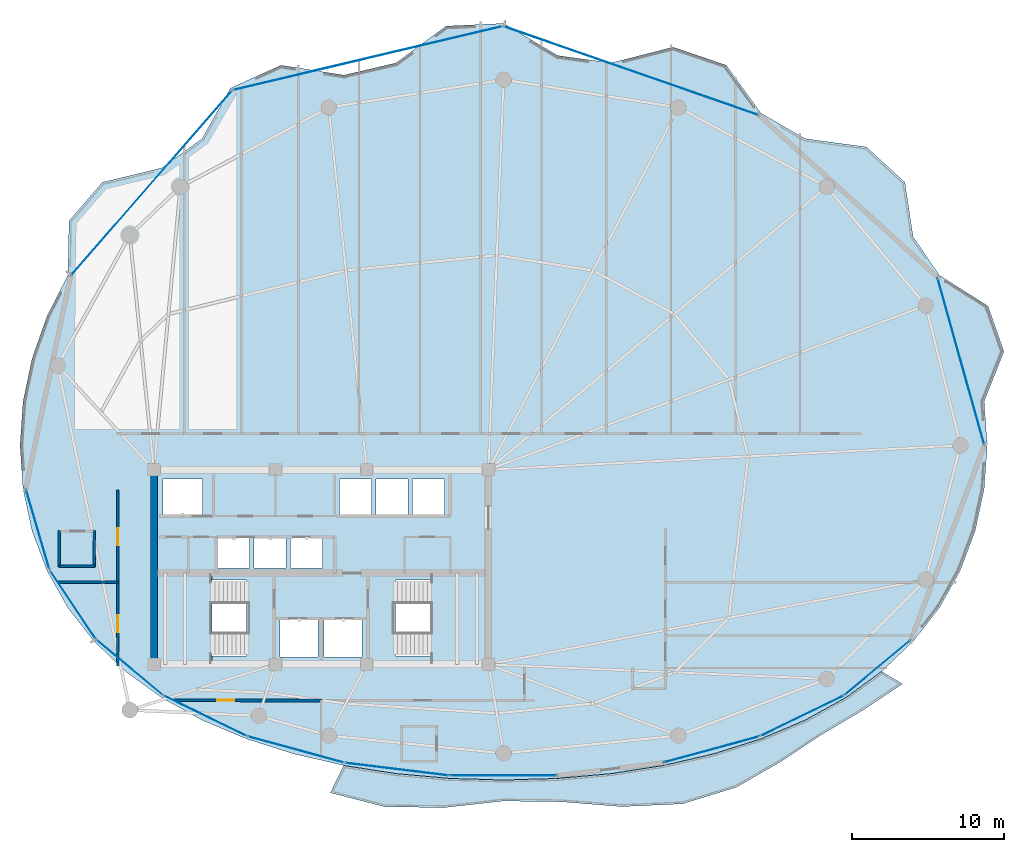
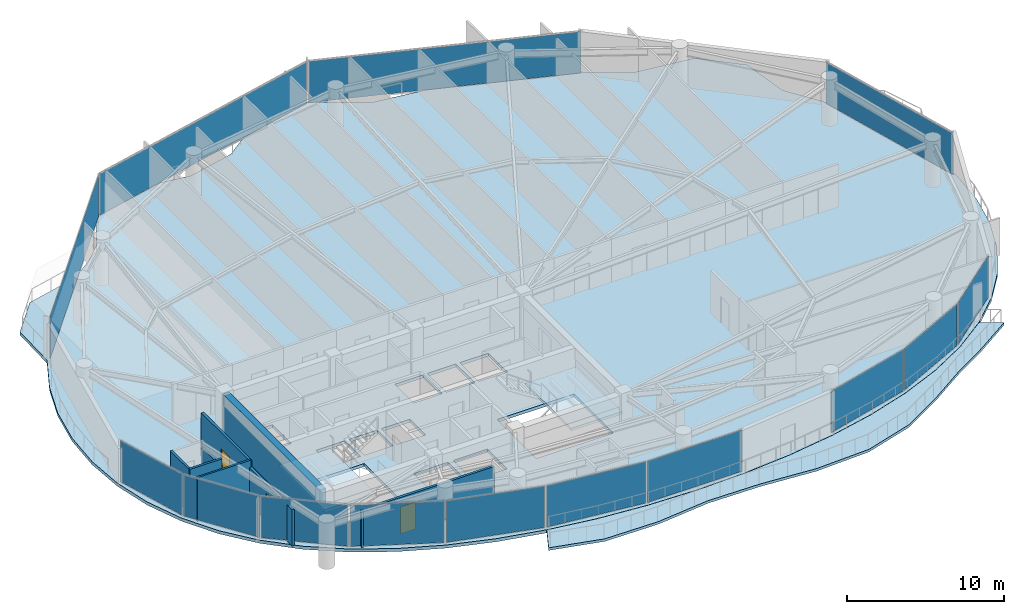
# One storey, part 22 of 29: 14 plates, 8 walls, 4 slabs, 3 doors, 3 openings, 16 elements without a shape of their own.
"""IFC4 building model written with IfcOpenShell, lengths in metres."""

from ifc_helpers import new_model, si_unit, direction, frame, frame_2d, origin, origin_2d, place, context, subcontext, project, spatial, polyline, rectangle, outline, extrude, material, layer, layer_set, type_object, element, fill, aggregate, save


model = new_model("IFC4")

# Units and contexts
model_context = context("Model", 3, precision=1e-05, world=origin(), true_north=direction((0.0, 1.0)))
body_context = subcontext(model_context, "Body", "Model", "MODEL_VIEW")
ifc_project = project(units=[si_unit("LENGTHUNIT", "METRE"), si_unit("AREAUNIT", "SQUARE_METRE"), si_unit("VOLUMEUNIT", "CUBIC_METRE"), si_unit("PLANEANGLEUNIT", "RADIAN"), si_unit("MASSUNIT", "GRAM", prefix="KILO")], contexts=[model_context])

# Site, building, storey
site_placement = place(None, origin())
site = spatial("IfcSite", under=ifc_project, at=site_placement, CompositionType="ELEMENT")
building_placement = place(site_placement, origin())
building = spatial("IfcBuilding", under=site, at=building_placement, Name="Kazevale Care Tower and Concert Hall", CompositionType="ELEMENT")
storey_placement = place(building_placement, frame((0.0, 0.0, 195.60009765625)))
storey = spatial("IfcBuildingStorey", under=building, at=storey_placement, Name="L51", CompositionType="ELEMENT", Elevation=195.60009765625)

# Curtain wall, plate
ifc_material_1 = material(Name="Aluminium 6063-T6 and Low-E Glass", Category="aluminium")
ifc_layer_1 = layer(ifc_material_1, 0.179931640625)
ifc_layer_set_1 = layer_set([ifc_layer_1], Name="Aluminium 6063-T6 and Low-E Glass")
curtain_wall_type_1 = type_object("IfcCurtainWallType", Name="Convex Checkerboard Finned Curtain Wall CW-2", PredefinedType="NOTDEFINED", material=ifc_layer_set_1)
curtain_wall_1_placement = place(storey_placement, origin())
curtain_wall_1 = element("IfcCurtainWall", 1, at=curtain_wall_1_placement, inside=storey, type_object=curtain_wall_type_1, Name="cw:L51:f14", PredefinedType="NOTDEFINED")
ifc_material_2 = material(Name="Low-E Laminated Glass", Category="glass")
ifc_layer_2 = layer(ifc_material_2, 0.028076171875)
ifc_layer_set_2 = layer_set([ifc_layer_2], Name="Low-E Laminated Glass")
plate_type_1 = type_object("IfcPlateType", Name="CW-2 Low-E Glazing Panel 28mm", PredefinedType="CURTAIN_PANEL", material=ifc_layer_set_2)
plate_1_placement = place(storey_placement, frame((21.85009765625, 55.2529296875, 0.074951171875), z_axis=(0.0, 0.0, 1.0), x_axis=(0.657174776708, 0.753738225685, 0.0)))
plate_1 = element("IfcPlate", 2, at=plate_1_placement, type_object=plate_type_1, Name="CW-2 panel 1.1", PredefinedType="CURTAIN_PANEL", context=body_context, shape_type="SweptSolid", body=[
    extrude(rectangle(XDim=16.03662109375, YDim=0.028076171875, at=origin_2d()), origin(), (0.0, 0.0, 1.0), 3.2099609375),
])
aggregate(curtain_wall_1, [plate_1])

curtain_wall_2_placement = place(storey_placement, origin())
curtain_wall_2 = element("IfcCurtainWall", 3, at=curtain_wall_2_placement, inside=storey, type_object=curtain_wall_type_1, Name="cw:L51:f16", PredefinedType="NOTDEFINED")
plate_2_placement = place(storey_placement, frame((53.37451171875, 62.638427734375, 0.074951171875), z_axis=(0.0, 0.0, 1.0), x_axis=(0.94447485363, -0.328583704497, 0.0)))
plate_2 = element("IfcPlate", 4, at=plate_2_placement, type_object=plate_type_1, Name="CW-2 panel 1.1", PredefinedType="CURTAIN_PANEL", context=body_context, shape_type="SweptSolid", body=[
    extrude(rectangle(XDim=17.671142578125, YDim=0.028076171875, at=origin_2d()), origin(), (0.0, 0.0, 1.0), 3.2099609375),
])
aggregate(curtain_wall_2, [plate_2])

ifc_layer_3 = layer(ifc_material_1, 0.179931640625)
ifc_layer_set_3 = layer_set([ifc_layer_3], Name="Aluminium 6063-T6 and Low-E Glass")
curtain_wall_type_2 = type_object("IfcCurtainWallType", Name="Waist & Upper Residential Curtain Wall CW-4", PredefinedType="NOTDEFINED", material=ifc_layer_set_3)
curtain_wall_3_placement = place(storey_placement, origin())
curtain_wall_3 = element("IfcCurtainWall", 5, at=curtain_wall_3_placement, inside=storey, type_object=curtain_wall_type_2, Name="cw:L51:f11", PredefinedType="NOTDEFINED")
ifc_layer_4 = layer(ifc_material_2, 0.030029296875)
ifc_layer_set_4 = layer_set([ifc_layer_4], Name="Low-E Laminated Glass")
plate_type_2 = type_object("IfcPlateType", Name="CW-4 Low-E Glazing Panel 30mm", PredefinedType="CURTAIN_PANEL", material=ifc_layer_set_4)
plate_3_placement = place(storey_placement, frame((16.677978515625, 27.525390625, 0.080078125), z_axis=(0.0, 0.0, 1.0), x_axis=(-0.554616540853, 0.832106058512, 0.0)))
plate_3 = element("IfcPlate", 6, at=plate_3_placement, type_object=plate_type_2, Name="CW-4 panel 1.1", PredefinedType="CURTAIN_PANEL", context=body_context, shape_type="SweptSolid", body=[
    extrude(rectangle(XDim=5.357421875, YDim=0.030029296875, at=origin_2d()), origin(), (0.0, 0.0, 1.0), 3.199951171875),
])
aggregate(curtain_wall_3, [plate_3])

curtain_wall_4_placement = place(storey_placement, origin())
curtain_wall_4 = element("IfcCurtainWall", 7, at=curtain_wall_4_placement, inside=storey, type_object=curtain_wall_type_2, Name="cw:L51:f12", PredefinedType="NOTDEFINED")
plate_4_placement = place(storey_placement, frame((14.363525390625, 32.489013671875, 0.080078125), z_axis=(0.0, 0.0, 1.0), x_axis=(-0.282098184457, 0.959385539982, 0.0)))
plate_4 = element("IfcPlate", 8, at=plate_4_placement, type_object=plate_type_2, Name="CW-4 panel 1.1", PredefinedType="CURTAIN_PANEL", context=body_context, shape_type="SweptSolid", body=[
    extrude(rectangle(XDim=5.40185546875, YDim=0.030029296875, at=origin_2d()), origin(), (0.0, 0.0, 1.0), 3.199951171875),
])
aggregate(curtain_wall_4, [plate_4])

curtain_wall_5_placement = place(storey_placement, origin())
curtain_wall_5 = element("IfcCurtainWall", 9, at=curtain_wall_5_placement, inside=storey, type_object=curtain_wall_type_2, Name="cw:L51:f15", PredefinedType="NOTDEFINED")
plate_5_placement = place(storey_placement, frame((36.06298828125, 63.46240234375, 0.080078125), z_axis=(0.0, 0.0, 1.0), x_axis=(0.973086746233, 0.230439111929, 0.0)))
plate_5 = element("IfcPlate", 10, at=plate_5_placement, type_object=plate_type_2, Name="CW-4 panel 1.1", PredefinedType="CURTAIN_PANEL", context=body_context, shape_type="SweptSolid", body=[
    extrude(rectangle(XDim=18.11376953125, YDim=0.030029296875, at=origin_2d()), origin(), (0.0, 0.0, 1.0), 3.199951171875),
])
aggregate(curtain_wall_5, [plate_5])

curtain_wall_6_placement = place(storey_placement, origin())
curtain_wall_6 = element("IfcCurtainWall", 11, at=curtain_wall_6_placement, inside=storey, type_object=curtain_wall_type_2, Name="cw:L51:f18", PredefinedType="NOTDEFINED")
plate_6_placement = place(storey_placement, frame((75.071533203125, 43.531005859375, 0.080078125), z_axis=(0.0, 0.0, 1.0), x_axis=(0.269600864915, -0.962972156211, 0.0)))
plate_6 = element("IfcPlate", 12, at=plate_6_placement, type_object=plate_type_2, Name="CW-4 panel 1.1", PredefinedType="CURTAIN_PANEL", context=body_context, shape_type="SweptSolid", body=[
    extrude(rectangle(XDim=11.327392578125, YDim=0.030029296875, at=origin_2d()), origin(), (0.0, 0.0, 1.0), 3.199951171875),
])
aggregate(curtain_wall_6, [plate_6])

ifc_layer_5 = layer(ifc_material_1, 0.179931640625)
ifc_layer_set_5 = layer_set([ifc_layer_5], Name="Aluminium 6063-T6 and Low-E Glass")
curtain_wall_type_3 = type_object("IfcCurtainWallType", Name="Sheltered Concave Balcony Curtain Wall CW-5", PredefinedType="NOTDEFINED", material=ifc_layer_set_5)
curtain_wall_7_placement = place(storey_placement, origin())
curtain_wall_7 = element("IfcCurtainWall", 13, at=curtain_wall_7_placement, inside=storey, type_object=curtain_wall_type_3, Name="cw:L51:f02", PredefinedType="NOTDEFINED")
ifc_layer_6 = layer(ifc_material_2, 0.02587890625)
ifc_layer_set_6 = layer_set([ifc_layer_6], Name="Low-E Laminated Glass")
plate_type_3 = type_object("IfcPlateType", Name="CW-5 Low-E Glazing Panel 26mm", PredefinedType="CURTAIN_PANEL", material=ifc_layer_set_6)
plate_7_placement = place(storey_placement, frame((69.590576171875, 23.396484375, 0.074951171875), z_axis=(0.0, 0.0, 1.0), x_axis=(-0.768407210062, -0.639961217204, 0.0)))
plate_7 = element("IfcPlate", 14, at=plate_7_placement, type_object=plate_type_3, Name="CW-5 panel 1.1", PredefinedType="CURTAIN_PANEL", context=body_context, shape_type="SweptSolid", body=[
    extrude(rectangle(XDim=5.580078125, YDim=0.02587890625, at=origin_2d()), origin(), (0.0, 0.0, 1.0), 3.2099609375),
])
aggregate(curtain_wall_7, [plate_7])

curtain_wall_8_placement = place(storey_placement, origin())
curtain_wall_8 = element("IfcCurtainWall", 15, at=curtain_wall_8_placement, inside=storey, type_object=curtain_wall_type_3, Name="cw:L51:f03", PredefinedType="NOTDEFINED")
plate_8_placement = place(storey_placement, frame((64.62255859375, 20.218017578125, 0.074951171875), z_axis=(0.0, 0.0, 1.0), x_axis=(-0.89934566163, -0.437238357087, 0.0)))
plate_8 = element("IfcPlate", 16, at=plate_8_placement, type_object=plate_type_3, Name="CW-5 panel 1.1", PredefinedType="CURTAIN_PANEL", context=body_context, shape_type="SweptSolid", body=[
    extrude(rectangle(XDim=6.002197265625, YDim=0.02587890625, at=origin_2d()), origin(), (0.0, 0.0, 1.0), 3.2099609375),
])
aggregate(curtain_wall_8, [plate_8])

curtain_wall_9_placement = place(storey_placement, origin())
curtain_wall_9 = element("IfcCurtainWall", 17, at=curtain_wall_9_placement, inside=storey, type_object=curtain_wall_type_3, Name="cw:L51:f04", PredefinedType="NOTDEFINED")
plate_9_placement = place(storey_placement, frame((58.66259765625, 18.0029296875, 0.074951171875), z_axis=(0.0, 0.0, 1.0), x_axis=(-0.964836991167, -0.262848968947, 0.0)))
plate_9 = element("IfcPlate", 18, at=plate_9_placement, type_object=plate_type_3, Name="CW-5 panel 1.1", PredefinedType="CURTAIN_PANEL", context=body_context, shape_type="SweptSolid", body=[
    extrude(rectangle(XDim=6.4697265625, YDim=0.02587890625, at=origin_2d()), origin(), (0.0, 0.0, 1.0), 3.2099609375),
])
aggregate(curtain_wall_9, [plate_9])

curtain_wall_10_placement = place(storey_placement, origin())
curtain_wall_10 = element("IfcCurtainWall", 19, at=curtain_wall_10_placement, inside=storey, type_object=curtain_wall_type_3, Name="cw:L51:f06", PredefinedType="NOTDEFINED")
plate_10_placement = place(storey_placement, frame((45.0, 16.284912109375, 0.074951171875), z_axis=(0.0, 0.0, 1.0), x_axis=(-1.0, 0.0, 0.0)))
plate_10 = element("IfcPlate", 20, at=plate_10_placement, type_object=plate_type_3, Name="CW-5 panel 1.1", PredefinedType="CURTAIN_PANEL", context=body_context, shape_type="SweptSolid", body=[
    extrude(rectangle(XDim=6.949951171875, YDim=0.02587890625, at=origin_2d()), origin(), (0.0, 0.0, 1.0), 3.2099609375),
])
aggregate(curtain_wall_10, [plate_10])

curtain_wall_11_placement = place(storey_placement, origin())
curtain_wall_11 = element("IfcCurtainWall", 21, at=curtain_wall_11_placement, inside=storey, type_object=curtain_wall_type_3, Name="cw:L51:f07", PredefinedType="NOTDEFINED")
plate_11_placement = place(storey_placement, frame((37.990478515625, 16.708984375, 0.074951171875), z_axis=(0.0, 0.0, 1.0), x_axis=(-0.992572961225, 0.121650797964, 0.0)))
plate_11 = element("IfcPlate", 22, at=plate_11_placement, type_object=plate_type_3, Name="CW-5 panel 1.1", PredefinedType="CURTAIN_PANEL", context=body_context, shape_type="SweptSolid", body=[
    extrude(rectangle(XDim=6.82080078125, YDim=0.02587890625, at=origin_2d()), origin(), (0.0, 0.0, 1.0), 3.2099609375),
])
aggregate(curtain_wall_11, [plate_11])

curtain_wall_12_placement = place(storey_placement, origin())
curtain_wall_12 = element("IfcCurtainWall", 23, at=curtain_wall_12_placement, inside=storey, type_object=curtain_wall_type_3, Name="cw:L51:f08", PredefinedType="NOTDEFINED")
plate_12_placement = place(storey_placement, frame((31.33740234375, 18.0029296875, 0.074951171875), z_axis=(0.0, 0.0, 1.0), x_axis=(-0.964836991167, 0.262848968947, 0.0)))
plate_12 = element("IfcPlate", 24, at=plate_12_placement, type_object=plate_type_3, Name="CW-5 panel 1.1", PredefinedType="CURTAIN_PANEL", context=body_context, shape_type="SweptSolid", body=[
    extrude(rectangle(XDim=6.4697265625, YDim=0.02587890625, at=origin_2d()), origin(), (0.0, 0.0, 1.0), 3.2099609375),
])
aggregate(curtain_wall_12, [plate_12])

curtain_wall_13_placement = place(storey_placement, origin())
curtain_wall_13 = element("IfcCurtainWall", 25, at=curtain_wall_13_placement, inside=storey, type_object=curtain_wall_type_3, Name="cw:L51:f09", PredefinedType="NOTDEFINED")
plate_13_placement = place(storey_placement, frame((25.37744140625, 20.218017578125, 0.074951171875), z_axis=(0.0, 0.0, 1.0), x_axis=(-0.89934566163, 0.437238357087, 0.0)))
plate_13 = element("IfcPlate", 26, at=plate_13_placement, type_object=plate_type_3, Name="CW-5 panel 1.1", PredefinedType="CURTAIN_PANEL", context=body_context, shape_type="SweptSolid", body=[
    extrude(rectangle(XDim=6.002197265625, YDim=0.02587890625, at=origin_2d()), origin(), (0.0, 0.0, 1.0), 3.2099609375),
])
aggregate(curtain_wall_13, [plate_13])

curtain_wall_14_placement = place(storey_placement, origin())
curtain_wall_14 = element("IfcCurtainWall", 27, at=curtain_wall_14_placement, inside=storey, type_object=curtain_wall_type_3, Name="cw:L51:f10", PredefinedType="NOTDEFINED")
plate_14_placement = place(storey_placement, frame((20.409423828125, 23.396484375, 0.074951171875), z_axis=(0.0, 0.0, 1.0), x_axis=(-0.768407210062, 0.639961217204, 0.0)))
plate_14 = element("IfcPlate", 28, at=plate_14_placement, type_object=plate_type_3, Name="CW-5 panel 1.1", PredefinedType="CURTAIN_PANEL", context=body_context, shape_type="SweptSolid", body=[
    extrude(rectangle(XDim=5.580078125, YDim=0.02587890625, at=origin_2d()), origin(), (0.0, 0.0, 1.0), 3.2099609375),
])
aggregate(curtain_wall_14, [plate_14])

# Slab
ifc_material_3 = material(Name="Concrete C40", Category="concrete")
ifc_layer_7 = layer(ifc_material_3, 0.199951171875)
ifc_layer_set_7 = layer_set([ifc_layer_7], Name="Concrete C40")
slab_type_1 = type_object("IfcSlabType", Name="Sinusoidal Concave Balcony Slab 200", PredefinedType="USERDEFINED", material=ifc_layer_set_7)
slab_1_placement = place(storey_placement, frame((0.0, 0.0, -0.2001953125)))
element("IfcSlab", 29, at=slab_1_placement, inside=storey, type_object=slab_type_1, Name="slab:L51:bal", ObjectType="BALCONY", PredefinedType="USERDEFINED", context=body_context, shape_type="SweptSolid", body=[
    extrude(outline(polyline([(71.234619140625, 22.31640625), (68.611572265625, 20.580322265625), (65.888427734375, 18.966552734375), (63.23291015625, 17.204345703125), (60.2919921875, 15.516357421875), (56.7626953125, 14.431884765625), (52.78955078125, 14.2470703125), (48.81103515625, 14.56396484375), (45.0, 14.6171875), (41.12744140625, 14.185791015625), (37.206787109375, 14.235595703125), (33.60009765625, 15.158935546875), (34.494873046875, 16.951416015625), (34.49609375, 16.951171875), (37.923095703125, 16.417236328125), (41.439208984375, 16.10009765625), (45.0, 15.9951171875), (48.560791015625, 16.10009765625), (52.076904296875, 16.417236328125), (55.50390625, 16.951171875), (58.798828125, 17.708740234375), (61.92041015625, 18.69873046875), (64.8291015625, 19.92919921875), (67.48876953125, 21.406494140625), (69.865478515625, 23.133056640625), (69.86669921875, 23.13427734375), (71.234619140625, 22.31640625)])), origin(), (0.0, 0.0, 1.0), 0.2001953125),
])

# Stair, slab
stair_type = type_object("IfcStairType", Name="Exit Stair Assembly ST1-Z3", PredefinedType="HALF_TURN_STAIR", material=ifc_material_3)
stair_1_placement = place(storey_placement, origin())
stair_1 = element("IfcStair", 30, at=stair_1_placement, inside=storey, type_object=stair_type, Name="stair:L51:ST1", PredefinedType="HALF_TURN_STAIR")
ifc_layer_8 = layer(ifc_material_3, 0.199951171875)
ifc_layer_set_8 = layer_set([ifc_layer_8], Name="Concrete C40")
slab_type_2 = type_object("IfcSlabType", Name="Stair Half-Landing Slab ST1-Z3", PredefinedType="LANDING", material=ifc_layer_set_8)
slab_2_placement = place(storey_placement, frame((0.0, 0.0, 1.599853515625)))
slab_2 = element("IfcSlab", 31, at=slab_2_placement, type_object=slab_type_2, Name="ST1-Z3 landing 1", PredefinedType="LANDING", context=body_context, shape_type="SweptSolid", body=[
    extrude(outline(polyline([(22.050048828125, 23.699951171875), (25.81005859375, 23.699951171875), (25.81005859375, 29.5), (22.050048828125, 29.5), (22.050048828125, 23.699951171875)])), origin(), (0.0, 0.0, 1.0), 0.199951171875),
])
aggregate(stair_1, [slab_2])

stair_2_placement = place(storey_placement, origin())
stair_2 = element("IfcStair", 32, at=stair_2_placement, inside=storey, type_object=stair_type, Name="stair:L51:ST2", PredefinedType="HALF_TURN_STAIR")
slab_3_placement = place(storey_placement, frame((0.0, 0.0, 1.599853515625)))
slab_3 = element("IfcSlab", 33, at=slab_3_placement, type_object=slab_type_2, Name="ST1-Z3 landing 1", PredefinedType="LANDING", context=body_context, shape_type="SweptSolid", body=[
    extrude(outline(polyline([(40.18994140625, 23.699951171875), (43.949951171875, 23.699951171875), (43.949951171875, 29.5), (40.18994140625, 29.5), (40.18994140625, 23.699951171875)])), origin(), (0.0, 0.0, 1.0), 0.199951171875),
])
aggregate(stair_2, [slab_3])

# Slab
ifc_layer_9 = layer(ifc_material_3, 0.239990234375)
ifc_layer_set_9 = layer_set([ifc_layer_9], Name="Concrete C40")
slab_type_3 = type_object("IfcSlabType", Name="Tower Typical Floor Slab 240", PredefinedType="FLOOR", material=ifc_layer_set_9)
slab_4_placement = place(storey_placement, frame((0.0, 0.0, -0.239990234375)))
element("IfcSlab", 34, at=slab_4_placement, inside=storey, type_object=slab_type_3, Name="slab:L51:tw:1", PredefinedType="FLOOR", context=body_context, shape_type="SweptSolid", body=[
    extrude(outline(polyline([(76.800048828125, 38.0), (76.60009765625, 40.888671875), (77.90380859375, 44.175048828125), (76.856201171875, 47.165283203125), (73.65087890625, 49.194091796875), (71.92578125, 51.726318359375), (71.38671875, 55.3017578125), (68.864990234375, 57.622314453125), (64.826904296875, 58.17138671875), (61.918701171875, 59.845458984375), (59.6435546875, 63.001953125), (56.14697265625, 64.19287109375), (52.076171875, 63.153076171875), (48.560546875, 63.6376953125), (45.0, 65.75), (41.22119140625, 65.575439453125), (37.923828125, 63.153076171875), (34.4970703125, 62.352294921875), (30.3564453125, 63.001953125), (27.0439453125, 61.49658203125), (25.173095703125, 58.17138671875), (22.513916015625, 56.243408203125), (18.61328125, 55.3017578125), (16.423095703125, 52.763916015625), (16.34912109375, 49.194091796875), (14.984619140625, 46.521240234375), (13.997314453125, 43.740966796875), (13.39990234375, 40.888671875), (13.199951171875, 38.0), (13.39990234375, 35.131103515625), (13.997314453125, 32.362060546875), (14.984619140625, 29.744873046875), (16.34912109375, 27.318115234375), (18.07421875, 25.109130859375), (20.1376953125, 23.13671875), (22.513916015625, 21.41064453125), (25.173095703125, 19.933837890625), (28.081298828125, 18.70361328125), (31.202392578125, 17.713623046875), (34.4970703125, 16.9560546875), (37.923828125, 16.422119140625), (41.439453125, 16.10498046875), (45.0, 16.0), (48.560546875, 16.10498046875), (52.076171875, 16.422119140625), (55.5029296875, 16.9560546875), (58.797607421875, 17.713623046875), (61.918701171875, 18.70361328125), (64.826904296875, 19.933837890625), (67.486083984375, 21.41064453125), (69.8623046875, 23.13671875), (71.92578125, 25.109130859375), (73.65087890625, 27.318115234375), (75.015380859375, 29.744873046875), (76.002685546875, 32.362060546875), (76.60009765625, 35.131103515625), (76.800048828125, 38.0)]), holes=[polyline([(22.449951171875, 24.14990234375), (28.110107421875, 24.14990234375), (28.110107421875, 29.14990234375), (22.449951171875, 29.14990234375), (22.449951171875, 24.14990234375)]), polyline([(37.889892578125, 24.14990234375), (43.550048828125, 24.14990234375), (43.550048828125, 29.14990234375), (37.889892578125, 29.14990234375), (37.889892578125, 24.14990234375)]), polyline([(30.300048828125, 24.10009765625), (32.800048828125, 24.10009765625), (32.800048828125, 26.60009765625), (30.300048828125, 26.60009765625), (30.300048828125, 24.10009765625)]), polyline([(33.199951171875, 24.10009765625), (35.699951171875, 24.10009765625), (35.699951171875, 26.60009765625), (33.199951171875, 26.60009765625), (33.199951171875, 24.10009765625)]), polyline([(22.60009765625, 33.39990234375), (25.199951171875, 33.39990234375), (25.199951171875, 35.800048828125), (22.60009765625, 35.800048828125), (22.60009765625, 33.39990234375)]), polyline([(34.199951171875, 33.39990234375), (36.300048828125, 33.39990234375), (36.300048828125, 35.800048828125), (34.199951171875, 35.800048828125), (34.199951171875, 33.39990234375)]), polyline([(36.60009765625, 33.39990234375), (38.699951171875, 33.39990234375), (38.699951171875, 35.800048828125), (36.60009765625, 35.800048828125), (36.60009765625, 33.39990234375)]), polyline([(39.0, 33.39990234375), (41.10009765625, 33.39990234375), (41.10009765625, 35.800048828125), (39.0, 35.800048828125), (39.0, 33.39990234375)]), polyline([(26.199951171875, 29.949951171875), (28.300048828125, 29.949951171875), (28.300048828125, 31.949951171875), (26.199951171875, 31.949951171875), (26.199951171875, 29.949951171875)]), polyline([(28.60009765625, 29.949951171875), (30.699951171875, 29.949951171875), (30.699951171875, 31.949951171875), (28.60009765625, 31.949951171875), (28.60009765625, 29.949951171875)]), polyline([(31.0, 29.949951171875), (33.10009765625, 29.949951171875), (33.10009765625, 31.949951171875), (31.0, 31.949951171875), (31.0, 29.949951171875)])]), origin(), (0.0, 0.0, 1.0), 0.239990234375),
])

# Walls
ifc_material_4 = material(Name="Acoustic Gypsum on Steel Stud", Category="steel")
ifc_layer_10 = layer(ifc_material_4, 0.139892578125)
ifc_layer_set_10 = layer_set([ifc_layer_10], Name="Acoustic Gypsum on Steel Stud")
wall_type_1 = type_object("IfcWallType", Name="Acoustic Care & Suite Partition 140", PredefinedType="PARTITIONING", material=ifc_layer_set_10)
wall_1_placement = place(storey_placement, frame((15.705078125, 29.0, 0.0), z_axis=(0.0, 0.0, 1.0), x_axis=(1.0, 0.0, 0.0)))
element("IfcWall", 35, at=wall_1_placement, inside=storey, type_object=wall_type_1, Name="wall:L51:auto_040", PredefinedType="PARTITIONING", context=body_context, shape_type="SweptSolid", body=[
    extrude(rectangle(XDim=3.949951171875, YDim=0.139892578125, at=frame_2d((1.97509765625, 0.0))), origin(), (0.0, 0.0, 1.0), 3.35986328125),
])
ifc_material_5 = material(Name="Concrete C50", Category="concrete")
ifc_layer_11 = layer(ifc_material_5, 0.449951171875)
ifc_layer_set_11 = layer_set([ifc_layer_11], Name="Concrete C50")
wall_type_2 = type_object("IfcWallType", Name="Core Shear Wall 450 C50", PredefinedType="SHEAR", material=ifc_layer_set_11)
wall_2_placement = place(storey_placement, frame((22.0, 23.824951171875, 0.0), z_axis=(0.0, 0.0, 1.0), x_axis=(0.0, 1.0, 0.0)))
element("IfcWall", 36, at=wall_2_placement, inside=storey, type_object=wall_type_2, Name="wall:L51:core:W", PredefinedType="SHEAR", context=body_context, shape_type="SweptSolid", body=[
    extrude(rectangle(XDim=12.35009765625, YDim=0.449951171875, at=frame_2d((6.175048828125, 0.0))), origin(), (0.0, 0.0, 1.0), 3.35986328125),
])

# Wall, opening, door
ifc_material_6 = material(Name="Concrete C40 and Acoustic Gypsum", Category="concrete")
ifc_layer_12 = layer(ifc_material_6, 0.179931640625)
ifc_layer_set_12 = layer_set([ifc_layer_12], Name="Concrete C40 and Acoustic Gypsum")
wall_type_3 = type_object("IfcWallType", Name="Fire-Rated Corridor & Party Wall 180", PredefinedType="PARTITIONING", material=ifc_layer_set_12)
wall_3_placement = place(storey_placement, frame((33.06494140625, 21.22509765625, 0.0), z_axis=(0.0, 0.0, 1.0), x_axis=(-0.99999847448, 0.001746722226, 0.0)))
wall_3 = element("IfcWall", 37, at=wall_3_placement, inside=storey, type_object=wall_type_3, Name="wall:L51:auto_020", PredefinedType="PARTITIONING", context=body_context, shape_type="SweptSolid", body=[
    extrude(rectangle(XDim=9.783935546875, YDim=0.179931640625, at=frame_2d((4.89208984375, 0.0))), origin(), (0.0, 0.0, 1.0), 2.889892578125),
])
opening_1_placement = place(wall_3_placement, frame((5.779052734375, 0.0, 0.0)))
opening_1 = element("IfcOpeningElement", 38, at=opening_1_placement, cuts=wall_3, Name="Opening ID-1100", PredefinedType="OPENING", context=body_context, shape_type="SweptSolid", body=[
    extrude(rectangle(XDim=1.10009765625, YDim=2.10009765625, at=frame_2d((0.550048828125, 1.050048828125))), frame((0.0, 0.099853515625, 0.0), z_axis=(0.0, -1.0, 0.0), x_axis=(1.0, 0.0, 0.0)), (0.0, 0.0, 1.0), 0.199951171875),
])
ifc_material_7 = material(Name="Oak Timber Fire Leaf", Category="wood")
door_type = type_object("IfcDoorType", Name="Care Bedroom Accessible Door 1100x2100", OperationType="NOTDEFINED", PredefinedType="DOOR", material=ifc_material_7)
door_1_placement = place(opening_1_placement, origin())
door_1 = element("IfcDoor", 39, at=door_1_placement, inside=storey, type_object=door_type, Name="door:L51:ad_020", OperationType="SINGLE_SWING_LEFT", OverallHeight=2.10009765625, OverallWidth=1.10009765625, PredefinedType="DOOR", context=body_context, shape_type="SweptSolid", body=[
    extrude(rectangle(XDim=1.10009765625, YDim=2.10009765625, at=frame_2d((0.550048828125, 1.050048828125))), frame((0.0, 0.02490234375, 0.0), z_axis=(0.0, -1.0, 0.0), x_axis=(1.0, 0.0, 0.0)), (0.0, 0.0, 1.0), 0.050048828125),
])
fill(opening_1, door_1)

wall_4_placement = place(storey_placement, frame((19.625, 23.49609375, 0.0), z_axis=(0.0, 0.0, 1.0), x_axis=(0.0, 1.0, 0.0)))
wall_4 = element("IfcWall", 40, at=wall_4_placement, inside=storey, type_object=wall_type_3, Name="wall:L51:auto_022", PredefinedType="PARTITIONING", context=body_context, shape_type="SweptSolid", body=[
    extrude(rectangle(XDim=5.56884765625, YDim=0.179931640625, at=frame_2d((2.784423828125, 0.0))), origin(), (0.0, 0.0, 1.0), 2.81689453125),
])
opening_2_placement = place(wall_4_placement, frame((2.23388671875, 0.0, 0.0)))
opening_2 = element("IfcOpeningElement", 41, at=opening_2_placement, cuts=wall_4, Name="Opening ID-1100", PredefinedType="OPENING", context=body_context, shape_type="SweptSolid", body=[
    extrude(rectangle(XDim=1.10009765625, YDim=2.10009765625, at=frame_2d((0.550048828125, 1.050048828125))), frame((0.0, 0.099853515625, 0.0), z_axis=(0.0, -1.0, 0.0), x_axis=(1.0, 0.0, 0.0)), (0.0, 0.0, 1.0), 0.199951171875),
])
door_2_placement = place(opening_2_placement, origin())
door_2 = element("IfcDoor", 42, at=door_2_placement, inside=storey, type_object=door_type, Name="door:L51:ad_022", OperationType="SINGLE_SWING_LEFT", OverallHeight=2.10009765625, OverallWidth=1.10009765625, PredefinedType="DOOR", context=body_context, shape_type="SweptSolid", body=[
    extrude(rectangle(XDim=1.10009765625, YDim=2.10009765625, at=frame_2d((0.550048828125, 1.050048828125))), frame((0.0, 0.02490234375, 0.0), z_axis=(0.0, -1.0, 0.0), x_axis=(1.0, 0.0, 0.0)), (0.0, 0.0, 1.0), 0.050048828125),
])
fill(opening_2, door_2)

wall_5_placement = place(storey_placement, frame((19.625, 28.93505859375, 0.0), z_axis=(0.0, 0.0, 1.0), x_axis=(0.0, 1.0, 0.0)))
wall_5 = element("IfcWall", 43, at=wall_5_placement, inside=storey, type_object=wall_type_3, Name="wall:L51:auto_023", PredefinedType="PARTITIONING", context=body_context, shape_type="SweptSolid", body=[
    extrude(rectangle(XDim=6.1298828125, YDim=0.179931640625, at=frame_2d((3.06494140625, 0.0))), origin(), (0.0, 0.0, 1.0), 3.35986328125),
])
opening_3_placement = place(wall_5_placement, frame((2.514892578125, 0.0, 0.0)))
opening_3 = element("IfcOpeningElement", 44, at=opening_3_placement, cuts=wall_5, Name="Opening ID-1100", PredefinedType="OPENING", context=body_context, shape_type="SweptSolid", body=[
    extrude(rectangle(XDim=1.10009765625, YDim=2.10009765625, at=frame_2d((0.550048828125, 1.050048828125))), frame((0.0, 0.099853515625, 0.0), z_axis=(0.0, -1.0, 0.0), x_axis=(1.0, 0.0, 0.0)), (0.0, 0.0, 1.0), 0.199951171875),
])
door_3_placement = place(opening_3_placement, origin())
door_3 = element("IfcDoor", 45, at=door_3_placement, inside=storey, type_object=door_type, Name="door:L51:ad_023", OperationType="SINGLE_SWING_LEFT", OverallHeight=2.10009765625, OverallWidth=1.10009765625, PredefinedType="DOOR", context=body_context, shape_type="SweptSolid", body=[
    extrude(rectangle(XDim=1.10009765625, YDim=2.10009765625, at=frame_2d((0.550048828125, 1.050048828125))), frame((0.0, 0.02490234375, 0.0), z_axis=(0.0, -1.0, 0.0), x_axis=(1.0, 0.0, 0.0)), (0.0, 0.0, 1.0), 0.050048828125),
])
fill(opening_3, door_3)

# Walls
ifc_layer_13 = layer(ifc_material_4, 0.159912109375)
ifc_layer_set_13 = layer_set([ifc_layer_13], Name="Acoustic Gypsum on Steel Stud")
wall_type_4 = type_object("IfcWallType", Name="Moisture-Resistant Bathroom Plumbing Wall 160", PredefinedType="PLUMBINGWALL", material=ifc_layer_set_13)
wall_6_placement = place(storey_placement, frame((15.75390625, 30.050048828125, 0.0), z_axis=(0.0, 0.0, 1.0), x_axis=(1.0, 0.0, 0.0)))
element("IfcWall", 46, at=wall_6_placement, inside=storey, type_object=wall_type_4, Name="wall:L51:wb2_ens_ws", PredefinedType="PLUMBINGWALL", context=body_context, shape_type="SweptSolid", body=[
    extrude(rectangle(XDim=2.380126953125, YDim=0.159912109375, at=frame_2d((1.18994140625, 0.0))), origin(), (0.0, 0.0, 1.0), 3.35986328125),
])
wall_7_placement = place(storey_placement, frame((15.7939453125, 30.010009765625, 0.0), z_axis=(0.0, 0.0, 1.0), x_axis=(0.0, 1.0, 0.0)))
element("IfcWall", 47, at=wall_7_placement, inside=storey, type_object=wall_type_4, Name="wall:L51:wb2_ens_ww", PredefinedType="PLUMBINGWALL", context=body_context, shape_type="SweptSolid", body=[
    extrude(rectangle(XDim=2.3798828125, YDim=0.159912109375, at=frame_2d((1.18994140625, 0.0))), origin(), (0.0, 0.0, 1.0), 3.35986328125),
])
wall_8_placement = place(storey_placement, frame((18.093994140625, 30.010009765625, 0.0), z_axis=(0.0, 0.0, 1.0), x_axis=(0.0, 1.0, 0.0)))
element("IfcWall", 48, at=wall_8_placement, inside=storey, type_object=wall_type_4, Name="wall:L51:wb2_ens_we", PredefinedType="PLUMBINGWALL", context=body_context, shape_type="SweptSolid", body=[
    extrude(rectangle(XDim=2.3798828125, YDim=0.159912109375, at=frame_2d((1.18994140625, 0.0))), origin(), (0.0, 0.0, 1.0), 2.81689453125),
])

save(model, "model.ifc")
